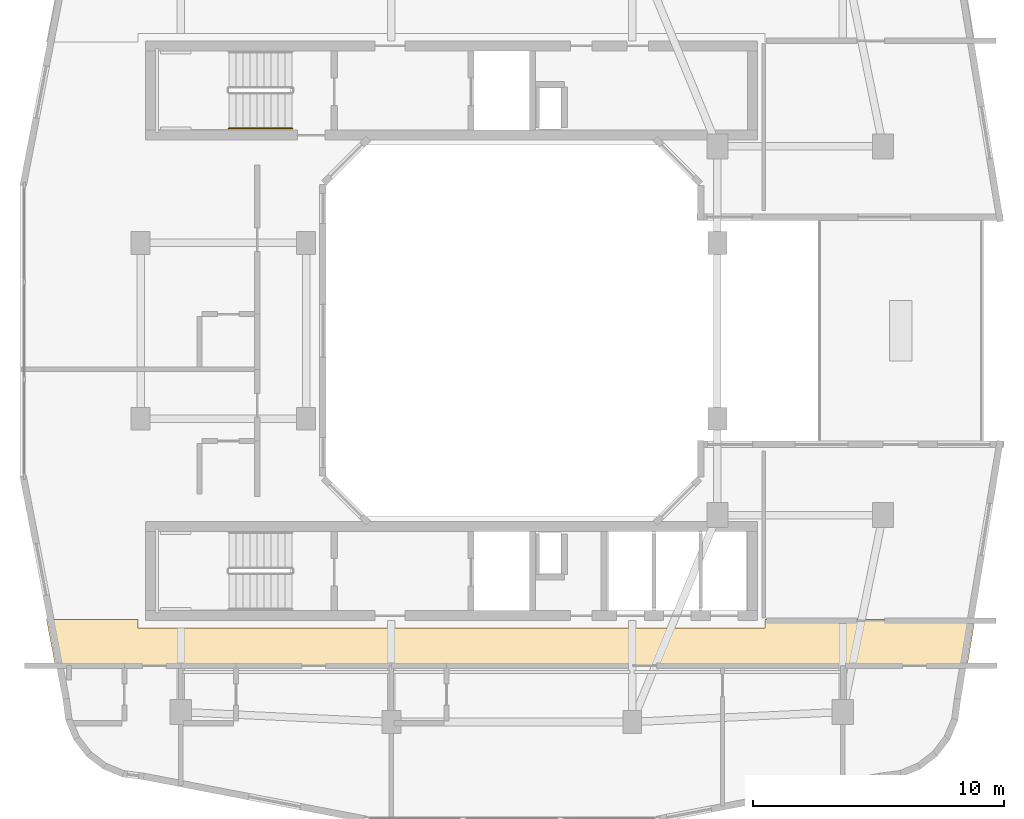
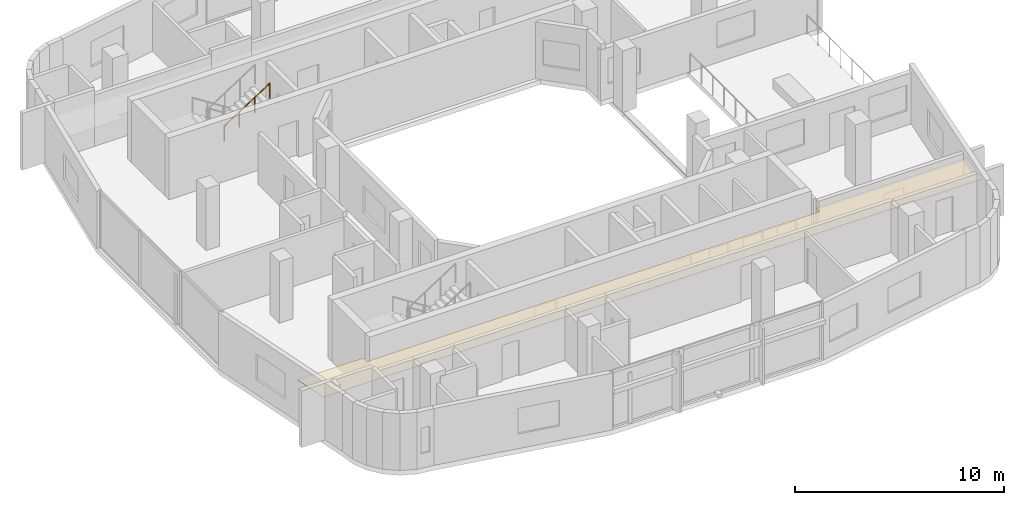
# One storey, part 10 of 12: 1 covering, 1 railing.
"""IFC4 building model written with IfcOpenShell, lengths in metres."""

from ifc_helpers import new_model, si_unit, derived_unit, direction, frame, origin, origin_2d, place, context, subcontext, project, spatial, polyline, circle, outline, extrude, material, layer, layer_set, type_object, element, save


model = new_model("IFC4")

# Units and contexts
model_context = context("Model", 3, precision=1e-05, world=origin(), true_north=direction((0.0, 1.0)))
body_context = subcontext(model_context, "Body", "Model", "MODEL_VIEW")
ifc_project = project(units=[si_unit("LENGTHUNIT", "METRE"), si_unit("AREAUNIT", "SQUARE_METRE"), si_unit("VOLUMEUNIT", "CUBIC_METRE"), si_unit("PLANEANGLEUNIT", "RADIAN"), si_unit("MASSUNIT", "GRAM", prefix="KILO"), derived_unit("THERMALTRANSMITTANCEUNIT", [(si_unit("POWERUNIT", "WATT"), 1), (si_unit("LENGTHUNIT", "METRE"), -2), (si_unit("THERMODYNAMICTEMPERATUREUNIT", "KELVIN"), -1)])], contexts=[model_context])

# Site, building, storey
site_placement = place(None, origin())
site = spatial("IfcSite", under=ifc_project, at=site_placement, CompositionType="ELEMENT")
building_placement = place(site_placement, origin())
building = spatial("IfcBuilding", under=site, at=building_placement, Name="Kivonza Crest Hotel", CompositionType="ELEMENT")
storey_placement = place(building_placement, frame((0.0, 0.0, 177.5)))
storey = spatial("IfcBuildingStorey", under=building, at=storey_placement, Name="L48", CompositionType="ELEMENT", Elevation=177.5)

# Covering
ifc_material_1 = material(Name="Moisture-resistant gypsum plasterboard ceiling", Category="gypsum")
ifc_layer = layer(ifc_material_1, 0.030029296875)
ifc_layer_set = layer_set([ifc_layer], Name="Moisture-resistant gypsum plasterboard ceiling")
covering_type = type_object("IfcCoveringType", Name="CV-CEIL-GYP", PredefinedType="CEILING", material=ifc_layer_set)
covering_placement = place(storey_placement, frame((0.0, 0.0, 2.449951171875)))
element("IfcCovering", 1, at=covering_placement, inside=storey, type_object=covering_type, Name="L48 Hotel South Guest Corridor suspended ceiling", PredefinedType="CEILING", context=body_context, shape_type="SweptSolid", body=[
    extrude(outline(polyline([(2.447021484375, 13.47998046875), (2.806884765625, 11.610107421875), (39.156982421875, 11.610107421875), (39.465087890625, 13.47998046875), (31.10009765625, 13.47998046875), (31.10009765625, 13.139892578125), (6.10009765625, 13.139892578125), (6.10009765625, 13.47998046875), (2.447021484375, 13.47998046875)])), origin(), (0.0, 0.0, 1.0), 0.030029296875),
])

# Railing
ifc_material_2 = material(Name="Brushed stainless steel handrail", Category="steel")
railing_type = type_object("IfcRailingType", Name="RL-HAND-900", PredefinedType="HANDRAIL", material=ifc_material_2)
railing_placement = place(storey_placement, frame((9.719970703125, 33.070068359375, 1.97998046875)))
element("IfcRailing", 2, at=railing_placement, inside=storey, type_object=railing_type, Name="L48 ST-T1-N stair handrail 2", PredefinedType="HANDRAIL", context=body_context, shape_type="SweptSolid", body=[
    extrude(circle(Radius=0.02392578125, at=origin_2d()), frame((0.0, 0.0, 0.8759765625), z_axis=(0.841162588446, 0.0, 0.540782303519), x_axis=(0.0, 1.0, 0.0)), (0.0, 0.0, 1.0), 2.995849609375),
    extrude(circle(Radius=0.02099609375, at=origin_2d()), origin(), (0.0, 0.0, 1.0), 0.851806640625),
    extrude(circle(Radius=0.02099609375, at=origin_2d()), frame((0.840087890625, 0.0, 0.5400390625)), (0.0, 0.0, 1.0), 0.851806640625),
    extrude(circle(Radius=0.02099609375, at=origin_2d()), frame((1.679931640625, 0.0, 1.080078125)), (0.0, 0.0, 1.0), 0.851806640625),
    extrude(circle(Radius=0.02099609375, at=origin_2d()), frame((2.52001953125, 0.0, 1.6201171875)), (0.0, 0.0, 1.0), 0.851806640625),
])

save(model, "model.ifc")
